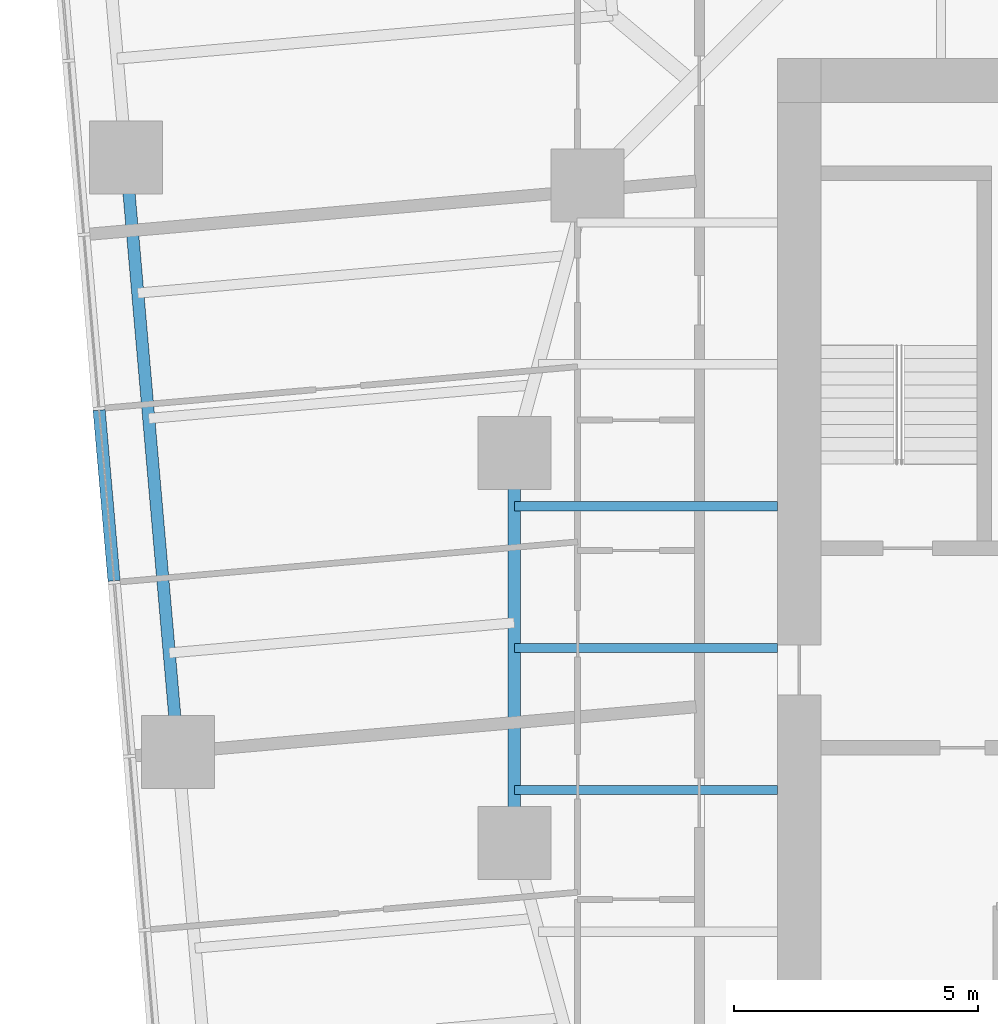
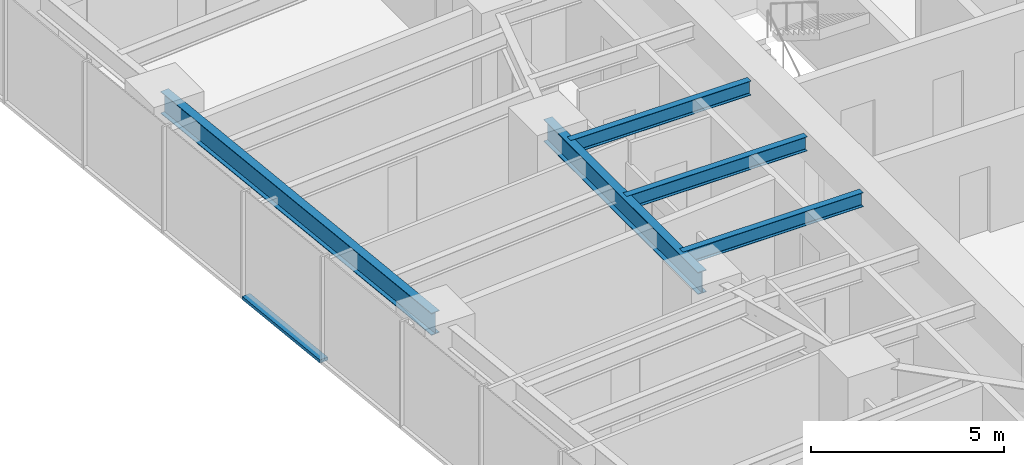
# One storey, part 3 of 14: 5 beams, 1 member, 1 element without a shape of its own.
"""IFC4 building model written with IfcOpenShell, lengths in metres."""

import ifcopenshell
import ifcopenshell.guid

model = None  # the IFC model being written
_history = None  # IfcOwnerHistory: only IFC2X3 demands one
_inside = {}  # id of a spatial element -> (the spatial element, [elements in it])
_under = {}  # id of a project, library or spatial element -> (it, [spatial elements below it])
_declared = {}  # id of a project -> (the project, [libraries it declares])
_typed = {}  # id of a type object -> (the type object, [elements of that type])
_made_of = {}  # id of a material, layer set ... -> (it, [elements and type objects made of it])


def new_model(schema):
    """Start an empty IFC model of exactly this schema.

    Asked for "IFC4X3", IfcOpenShell would pick the latest addendum, in which some entities
    have other attributes; the version numbers below select the first issue.
    IFC2X3 requires an IfcOwnerHistory on every rooted entity: one is made here for all.
    """
    global model, _history
    if schema == "IFC4X3":
        model = ifcopenshell.file(schema_version=(4, 3, 0, 0))
    else:
        model = ifcopenshell.file(schema=schema)
    _inside.clear()
    _under.clear()
    _declared.clear()
    _typed.clear()
    _made_of.clear()
    _history = None
    if model.schema == "IFC2X3":
        org = make("IfcOrganization", Name="unknown")
        user = make(
            "IfcPersonAndOrganization",
            ThePerson=make("IfcPerson", FamilyName="unknown"),
            TheOrganization=org,
        )
        app = make(
            "IfcApplication",
            ApplicationDeveloper=org,
            Version="unknown",
            ApplicationFullName="unknown",
            ApplicationIdentifier="unknown",
        )
        _history = make(
            "IfcOwnerHistory",
            OwningUser=user,
            OwningApplication=app,
            ChangeAction="ADDED",
            CreationDate=0,
        )
    return model


def make(cls, **values):
    """One entity of the class cls with the attributes given. An attribute that is None is left unset."""
    return model.create_entity(
        cls, **{name: value for name, value in values.items() if value is not None}
    )


def rooted(cls, **values):
    """An entity with a GlobalId (a new one), such as an element, a storey or a relation."""
    return make(cls, GlobalId=ifcopenshell.guid.new(), OwnerHistory=_history, **values)


def si_unit(unit_type, name, prefix=None):
    """IfcSIUnit, for example si_unit("LENGTHUNIT", "METRE", prefix="MILLI")."""
    return make("IfcSIUnit", UnitType=unit_type, Prefix=prefix, Name=name)


def assignment(units):
    """IfcUnitAssignment: the units of a project."""
    return None if units is None else make("IfcUnitAssignment", Units=units)


def point(xyz):
    """IfcCartesianPoint."""
    return None if xyz is None else make("IfcCartesianPoint", Coordinates=xyz)


def direction(xyz):
    """IfcDirection."""
    return None if xyz is None else make("IfcDirection", DirectionRatios=xyz)


def frame(location, z_axis=None, x_axis=None):
    """IfcAxis2Placement3D, a coordinate frame: its origin and axes. An axis left out is left unset."""
    return make(
        "IfcAxis2Placement3D",
        Location=point(location),
        Axis=direction(z_axis),
        RefDirection=direction(x_axis),
    )


def frame_2d(location, x_axis=None):
    """IfcAxis2Placement2D, a coordinate frame in the plane: its origin and x axis."""
    return make(
        "IfcAxis2Placement2D", Location=point(location), RefDirection=direction(x_axis)
    )


def origin():
    """The frame at (0, 0, 0) with its axes left unset."""
    return frame((0.0, 0.0, 0.0))


def origin_2d():
    """The frame at (0, 0) in the plane with its x axis left unset."""
    return frame_2d((0.0, 0.0))


def place(relative_to, where):
    """IfcLocalPlacement: puts the frame where relative to a parent placement (None: the world)."""
    return make(
        "IfcLocalPlacement", PlacementRelTo=relative_to, RelativePlacement=where
    )


def context(
    kind, dimensions, precision=None, world=None, true_north=None, identifier=None
):
    """IfcGeometricRepresentationContext, for example the 3D "Model" context."""
    return make(
        "IfcGeometricRepresentationContext",
        ContextIdentifier=identifier,
        ContextType=kind,
        CoordinateSpaceDimension=dimensions,
        Precision=precision,
        WorldCoordinateSystem=world,
        TrueNorth=true_north,
    )


def subcontext(parent, identifier, kind, view, scale=None):
    """IfcGeometricRepresentationSubContext, for example "Body" below "Model"."""
    return make(
        "IfcGeometricRepresentationSubContext",
        ContextIdentifier=identifier,
        ContextType=kind,
        ParentContext=parent,
        TargetScale=scale,
        TargetView=view,
    )


def project(units=None, contexts=None):
    """IfcProject with its units and contexts."""
    return rooted(
        "IfcProject",
        Name="project",
        RepresentationContexts=contexts,
        UnitsInContext=assignment(units),
    )


def spatial(cls, under=None, at=None, **own):
    """A site, building, storey or space (cls), placed at a placement, below another one or the project."""
    s = rooted(cls, ObjectPlacement=at, **own)
    if under is not None:
        _under.setdefault(under.id(), (under, []))[1].append(s)
    return s


def profile(cls, at=None, kind="AREA", **sizes):
    """A parametric profile (cls). Its sizes go by their IFC names, for example OverallWidth=200.0."""
    return make(cls, ProfileType=kind, Position=at, **sizes)


def rectangle(**sizes):
    """IfcRectangleProfileDef."""
    return profile("IfcRectangleProfileDef", **sizes)


def i_section(**sizes):
    """IfcIShapeProfileDef."""
    return profile("IfcIShapeProfileDef", **sizes)


def extrude(swept, where, along, depth):
    """IfcExtrudedAreaSolid: the profile swept, set in the frame where, extruded along a direction by depth."""
    return make(
        "IfcExtrudedAreaSolid",
        SweptArea=swept,
        Position=where,
        ExtrudedDirection=direction(along),
        Depth=depth,
    )


def shape(context_of_items, identifier, shape_type, items):
    """IfcShapeRepresentation: the items that make up one representation, for example the "Body"."""
    return make(
        "IfcShapeRepresentation",
        ContextOfItems=context_of_items,
        RepresentationIdentifier=identifier,
        RepresentationType=shape_type,
        Items=items,
    )


def material(Name=None, Category=None):
    """IfcMaterial."""
    return make("IfcMaterial", Name=Name, Category=Category)


def material_profile(
    of_material, cross_section, Name=None, Category=None, Priority=None
):
    """IfcMaterialProfile: a cross section and its material."""
    return make(
        "IfcMaterialProfile",
        Name=Name,
        Material=of_material,
        Profile=cross_section,
        Priority=Priority,
        Category=Category,
    )


def profile_set(profiles, Name=None, composite=None):
    """IfcMaterialProfileSet."""
    return make(
        "IfcMaterialProfileSet",
        Name=Name,
        MaterialProfiles=profiles,
        CompositeProfile=composite,
    )


def made_of(thing, what):
    """Note that an element or type object is made of a material, layer set ...; save() writes the relation."""
    if what is not None:
        _made_of.setdefault(what.id(), (what, []))[1].append(thing)
    return thing


def type_object(cls, material=None, **own):
    """A type object (cls), such as IfcWallType, which elements share."""
    return made_of(rooted(cls, **own), material)


def element(
    cls,
    number,
    at=None,
    inside=None,
    cuts=None,
    type_object=None,
    material=None,
    context=None,
    identifier="Body",
    shape_type=None,
    held_by="IfcProductDefinitionShape",
    body=None,
    shapes=None,
    **own,
):
    """One element of the class cls, such as IfcWall. Its Tag is "e" and its number.

    at: its placement. inside: the storey or other place that contains it. cuts: it is an
    opening in that element (IfcRelVoidsElement). A single representation is given by context,
    identifier, shape_type and body (its items); several are given by shapes. held_by: the class
    of the entity that holds the representations. save() writes the other relations.
    """
    e = rooted(cls, Tag="e%d" % number, ObjectPlacement=at, **own)
    if body is not None:
        shapes = [shape(context, identifier, shape_type, body)]
    if shapes is not None:
        e.Representation = make(held_by, Representations=shapes)
    if inside is not None:
        _inside.setdefault(inside.id(), (inside, []))[1].append(e)
    if cuts is not None:
        rooted(
            "IfcRelVoidsElement", RelatingBuildingElement=cuts, RelatedOpeningElement=e
        )
    if type_object is not None:
        _typed.setdefault(type_object.id(), (type_object, []))[1].append(e)
    return made_of(e, material)


def aggregate(whole, parts):
    """IfcRelAggregates: a whole, such as a stair, and the parts it consists of."""
    return rooted("IfcRelAggregates", RelatingObject=whole, RelatedObjects=parts)


def save(model, path):
    """Write the relations noted so far, then the file.

    IfcRelAggregates (storeys below a building ...), IfcRelContainedInSpatialStructure (elements
    in a storey), IfcRelDefinesByType, IfcRelAssociatesMaterial and IfcRelDeclares: one each for
    every whole, place, type object, material and project.
    """
    for whole, parts in _under.values():
        aggregate(whole, parts)
    for where, things in _inside.values():
        rooted(
            "IfcRelContainedInSpatialStructure",
            RelatedElements=things,
            RelatingStructure=where,
        )
    for kind, things in _typed.values():
        rooted("IfcRelDefinesByType", RelatedObjects=things, RelatingType=kind)
    for what, things in _made_of.values():
        rooted("IfcRelAssociatesMaterial", RelatedObjects=things, RelatingMaterial=what)
    for by, libraries in _declared.values():
        rooted("IfcRelDeclares", RelatingContext=by, RelatedDefinitions=libraries)
    model.write(path)


model = new_model("IFC4")

# Units and contexts
model_context = context("Model", 3, precision=1e-05, world=origin(), true_north=direction((0.0, 1.0)))
body_context = subcontext(model_context, "Body", "Model", "MODEL_VIEW")
ifc_project = project(units=[si_unit("LENGTHUNIT", "METRE"), si_unit("AREAUNIT", "SQUARE_METRE"), si_unit("VOLUMEUNIT", "CUBIC_METRE"), si_unit("PLANEANGLEUNIT", "RADIAN"), si_unit("MASSUNIT", "GRAM", prefix="KILO")], contexts=[model_context])

# Site, building, storey
site_placement = place(None, origin())
site = spatial("IfcSite", under=ifc_project, at=site_placement, CompositionType="ELEMENT")
building_placement = place(site_placement, origin())
building = spatial("IfcBuilding", under=site, at=building_placement, Name="Torsade Residences", CompositionType="ELEMENT")
storey_placement = place(building_placement, frame((0.0, 0.0, 60.800048828125)))
storey = spatial("IfcBuildingStorey", under=building, at=storey_placement, Name="L16", CompositionType="ELEMENT", Elevation=60.800048828125)

# Curtain wall, member
ifc_material_1 = material(Name="Aluminium and glass", Category="aluminium")
curtain_wall_type = type_object("IfcCurtainWallType", Name="FRITTED GLASS CURTAIN WALL LOW ZONE", PredefinedType="NOTDEFINED", material=ifc_material_1)
curtain_wall_placement = place(storey_placement, origin())
curtain_wall = element("IfcCurtainWall", 1, at=curtain_wall_placement, inside=storey, type_object=curtain_wall_type, Name="Curtain wall L16 face 10", PredefinedType="NOTDEFINED")
ifc_material_2 = material(Name="Aluminium transom", Category="aluminium")
ifc_material_profile_1 = material_profile(ifc_material_2, rectangle(XDim=0.25, YDim=0.10009765625, at=origin_2d()), Name="CURTAIN WALL TRANSOM 250x100")
ifc_profile_set_1 = profile_set([ifc_material_profile_1], Name="Aluminium transom")
member_type = type_object("IfcMemberType", Name="CURTAIN WALL TRANSOM 250x100", PredefinedType="USERDEFINED", material=ifc_profile_set_1)
member_placement = place(storey_placement, frame((13.975341796875, 34.884521484375, 0.050048828125), z_axis=(0.087156620531, -0.996194621295, 0.0), x_axis=(0.996194621295, 0.087156620531, 0.0)))
member = element("IfcMember", 2, at=member_placement, type_object=member_type, Name="Transom 5.1", ObjectType="TRANSOM", PredefinedType="USERDEFINED", context=body_context, shape_type="SweptSolid", body=[
    extrude(rectangle(XDim=0.25, YDim=0.10009765625, at=origin_2d()), origin(), (0.0, 0.0, 1.0), 3.518310546875),
])
aggregate(curtain_wall, [member])

# Beams
ifc_material_3 = material(Name="Steel grade 300", Category="steel")
ifc_material_profile_2 = material_profile(ifc_material_3, i_section(OverallWidth=0.25, OverallDepth=0.699951171875, WebThickness=0.010009765625, FlangeThickness=0.02001953125, at=origin_2d()), Name="700WB130")
ifc_profile_set_2 = profile_set([ifc_material_profile_2], Name="Steel grade 300")
beam_type_1 = type_object("IfcBeamType", Name="EDGE BEAM 700WB130", PredefinedType="SPANDREL", material=ifc_profile_set_2)
beam_1_placement = place(storey_placement, frame((14.525634765625, 40.068115234375, 2.89990234375), z_axis=(0.08715335259, -0.996194907201, 0.0), x_axis=(0.996194907201, 0.08715335259, 0.0)))
element("IfcBeam", 3, at=beam_1_placement, inside=storey, type_object=beam_type_1, Name="Edge beam 14 L17", PredefinedType="SPANDREL", context=body_context, shape_type="SweptSolid", body=[
    extrude(i_section(OverallWidth=0.25, OverallDepth=0.699951171875, WebThickness=0.010009765625, FlangeThickness=0.02001953125, at=origin_2d()), origin(), (0.0, 0.0, 1.0), 12.25),
])
ifc_material_4 = material(Name="Steel grade 300", Category="steel")
ifc_material_profile_3 = material_profile(ifc_material_4, i_section(OverallWidth=0.18994140625, OverallDepth=0.4541015625, WebThickness=0.008544921875, FlangeThickness=0.0126953125, FilletRadius=0.011474609375, at=origin_2d()), Name="460UB67.1")
ifc_profile_set_3 = profile_set([ifc_material_profile_3], Name="Steel grade 300")
beam_type_2 = type_object("IfcBeamType", Name="INNER FLOOR BEAM 460UB67.1", PredefinedType="JOIST", material=ifc_profile_set_3)
for number, where, z_axis, x_axis, name in (
    (4, (27.89990234375, 32.91259765625, 3.02294921875), (-1.0, 0.0, 0.0), (0.0, -1.0, 0.0), "Inner floor beam IW03 L17"),
    (5, (27.89990234375, 30.0, 3.02294921875), (-1.0, 0.0, 0.0), (0.0, -1.0, 0.0), "Inner floor beam IW04 L17"),
    (6, (27.89990234375, 27.08740234375, 3.02294921875), (-1.0, 0.0, 0.0), (0.0, -1.0, 0.0), "Inner floor beam IW05 L17"),
):
    element("IfcBeam", number, at=place(storey_placement, frame(where, z_axis=z_axis, x_axis=x_axis)), inside=storey, type_object=beam_type_2, Name=name, PredefinedType="JOIST", context=body_context, shape_type="SweptSolid", body=[
        extrude(i_section(OverallWidth=0.18994140625, OverallDepth=0.4541015625, WebThickness=0.008544921875, FlangeThickness=0.0126953125, FilletRadius=0.011474609375, at=origin_2d()), origin(), (0.0, 0.0, 1.0), 5.39990234375),
    ])
ifc_material_5 = material(Name="Steel grade 300", Category="steel")
ifc_material_profile_4 = material_profile(ifc_material_5, i_section(OverallWidth=0.25, OverallDepth=0.699951171875, WebThickness=0.010009765625, FlangeThickness=0.02001953125, at=origin_2d()), Name="700WB130")
ifc_profile_set_4 = profile_set([ifc_material_profile_4], Name="Steel grade 300")
beam_type_3 = type_object("IfcBeamType", Name="RING GIRDER 700WB130", PredefinedType="BEAM", material=ifc_profile_set_4)
beam_2_placement = place(storey_placement, frame((22.5, 34.0, 2.89990234375), z_axis=(0.0, -1.0, 0.0), x_axis=(1.0, 0.0, 0.0)))
element("IfcBeam", 7, at=beam_2_placement, inside=storey, type_object=beam_type_3, Name="Ring girder IR09 L17", PredefinedType="BEAM", context=body_context, shape_type="SweptSolid", body=[
    extrude(i_section(OverallWidth=0.25, OverallDepth=0.699951171875, WebThickness=0.010009765625, FlangeThickness=0.02001953125, at=origin_2d()), origin(), (0.0, 0.0, 1.0), 8.0),
])

save(model, "model.ifc")
